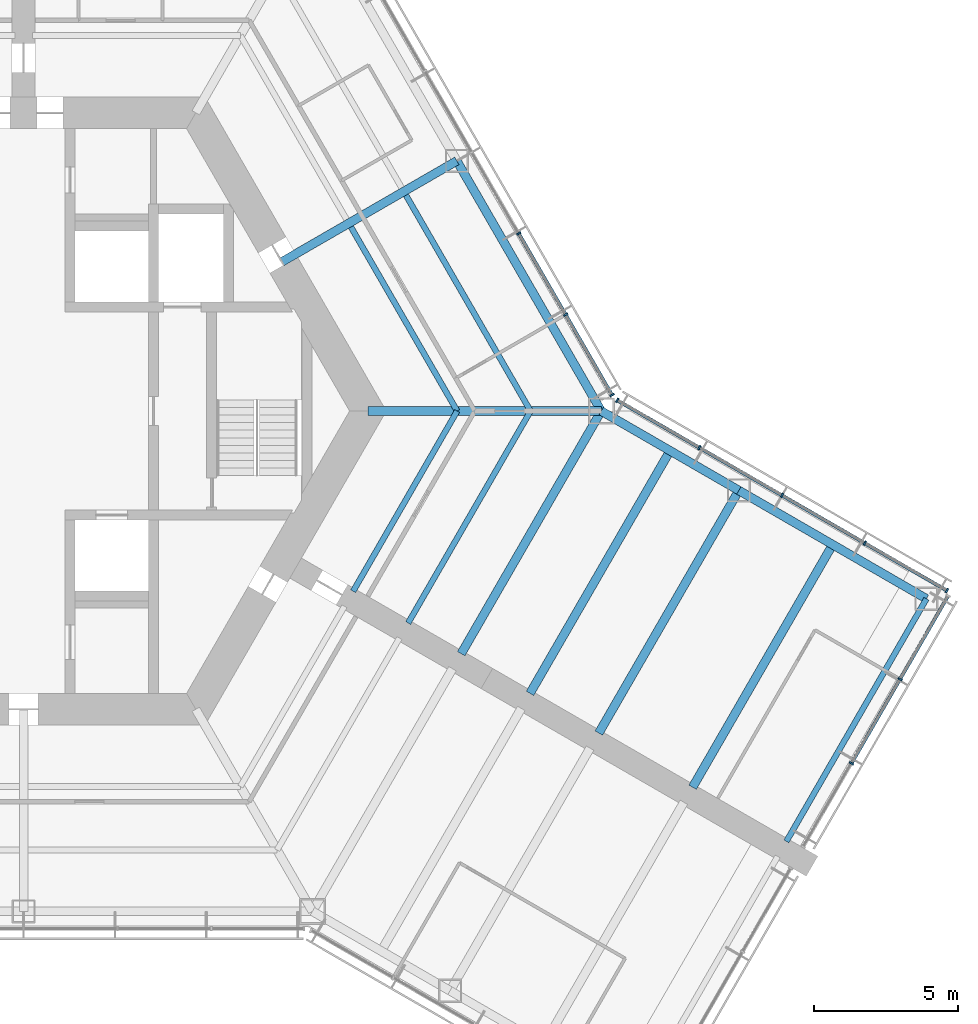
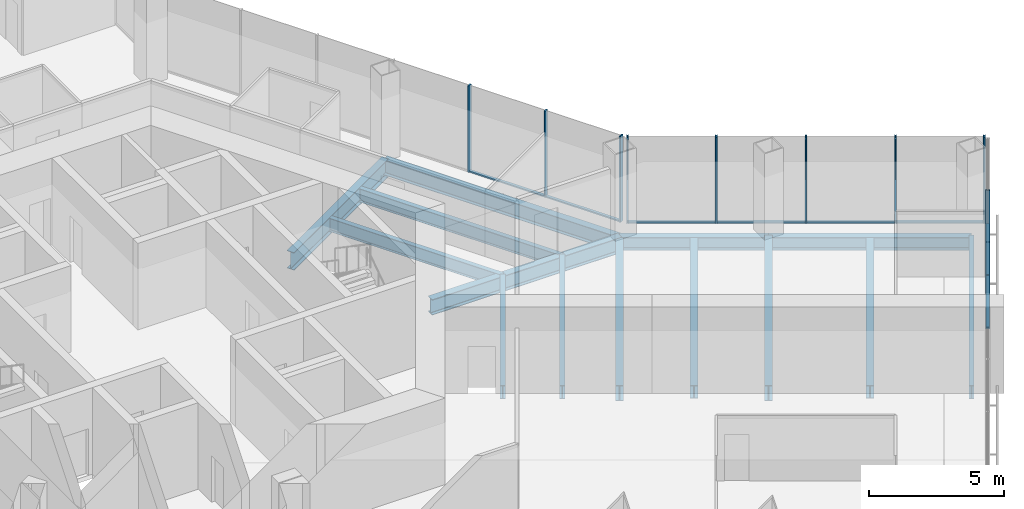
# One storey, part 6 of 18: 18 members, 14 beams, 3 elements without a shape of their own.
"""IFC4 building model written with IfcOpenShell, lengths in metres."""

from ifc_helpers import new_model, si_unit, direction, frame, origin, origin_2d, place, context, subcontext, project, spatial, rectangle, i_section, extrude, material, material_profile, profile_set, type_object, element, aggregate, save


model = new_model("IFC4")

# Units and contexts
model_context = context("Model", 3, precision=1e-05, world=origin(), true_north=direction((0.0, 1.0)))
body_context = subcontext(model_context, "Body", "Model", "MODEL_VIEW")
ifc_project = project(units=[si_unit("LENGTHUNIT", "METRE"), si_unit("AREAUNIT", "SQUARE_METRE"), si_unit("VOLUMEUNIT", "CUBIC_METRE"), si_unit("PLANEANGLEUNIT", "RADIAN"), si_unit("MASSUNIT", "GRAM", prefix="KILO")], contexts=[model_context])

# Site, building, storey
site_placement = place(None, origin())
site = spatial("IfcSite", under=ifc_project, at=site_placement, CompositionType="ELEMENT")
building_placement = place(site_placement, origin())
building = spatial("IfcBuilding", under=site, at=building_placement, Name="Kasaneha Research Tower", CompositionType="ELEMENT")
storey_placement = place(building_placement, frame((0.0, 0.0, 76.800048828125)))
storey = spatial("IfcBuildingStorey", under=building, at=storey_placement, Name="L19", CompositionType="ELEMENT", Elevation=76.800048828125)

# Beams
ifc_material_1 = material(Name="Steel SN490B", Category="steel")
ifc_material_profile_1 = material_profile(ifc_material_1, i_section(OverallWidth=0.199951171875, OverallDepth=0.60009765625, WebThickness=0.010986328125, FlangeThickness=0.01708984375, FilletRadius=0.012939453125, at=origin_2d()), Name="H-600x200x11x17")
ifc_profile_set_1 = profile_set([ifc_material_profile_1], Name="Steel SN490B")
beam_type_1 = type_object("IfcBeamType", Name="B1-3 secondary beam H-600x200x11x17", PredefinedType="JOIST", material=ifc_profile_set_1)
beam_1_placement = place(storey_placement, frame((15.010986328125, 0.0, -0.449951171875), z_axis=(-0.499994443168, 0.866028611999, 0.0), x_axis=(-0.866028611999, -0.499994443168, 0.0)))
element("IfcBeam", 1, at=beam_1_placement, inside=storey, type_object=beam_type_1, Name="Secondary beam RS030L1 L19", PredefinedType="JOIST", context=body_context, shape_type="SweptSolid", body=[
    extrude(i_section(OverallWidth=0.199951171875, OverallDepth=0.60009765625, WebThickness=0.010986328125, FlangeThickness=0.01708984375, FilletRadius=0.012939453125, at=origin_2d()), origin(), (0.0, 0.0, 1.0), 7.35546875),
])
beam_2_placement = place(storey_placement, frame((17.551513671875, 0.0, -0.449951171875), z_axis=(-0.5000050195, 0.866022505755, 0.0), x_axis=(-0.866022505755, -0.5000050195, 0.0)))
element("IfcBeam", 2, at=beam_2_placement, inside=storey, type_object=beam_type_1, Name="Secondary beam RS030L2 L19", PredefinedType="JOIST", context=body_context, shape_type="SweptSolid", body=[
    extrude(i_section(OverallWidth=0.199951171875, OverallDepth=0.60009765625, WebThickness=0.010986328125, FlangeThickness=0.01708984375, FilletRadius=0.012939453125, at=origin_2d()), origin(), (0.0, 0.0, 1.0), 8.6259765625),
])
beam_3_placement = place(storey_placement, frame((15.010986328125, 0.0, -0.449951171875), z_axis=(-0.499972735707, -0.866041144259, 0.0), x_axis=(0.866041144259, -0.499972735707, 0.0)))
element("IfcBeam", 3, at=beam_3_placement, inside=storey, type_object=beam_type_1, Name="Secondary beam RS330R1 L19", PredefinedType="JOIST", context=body_context, shape_type="SweptSolid", body=[
    extrude(i_section(OverallWidth=0.199951171875, OverallDepth=0.60009765625, WebThickness=0.010986328125, FlangeThickness=0.01708984375, FilletRadius=0.012939453125, at=origin_2d()), origin(), (0.0, 0.0, 1.0), 7.20556640625),
])
beam_4_placement = place(storey_placement, frame((17.551513671875, 0.0, -0.449951171875), z_axis=(-0.500020829043, -0.866013377797, 0.0), x_axis=(0.866013377797, -0.500020829043, 0.0)))
element("IfcBeam", 4, at=beam_4_placement, inside=storey, type_object=beam_type_1, Name="Secondary beam RS330R2 L19", PredefinedType="JOIST", context=body_context, shape_type="SweptSolid", body=[
    extrude(i_section(OverallWidth=0.199951171875, OverallDepth=0.60009765625, WebThickness=0.010986328125, FlangeThickness=0.01708984375, FilletRadius=0.012939453125, at=origin_2d()), origin(), (0.0, 0.0, 1.0), 8.475830078125),
])
ifc_material_2 = material(Name="Steel SN490B", Category="steel")
ifc_material_profile_2 = material_profile(ifc_material_2, i_section(OverallWidth=0.300048828125, OverallDepth=0.58203125, WebThickness=0.011962890625, FlangeThickness=0.01708984375, FilletRadius=0.012939453125, at=origin_2d()), Name="H-582x300x12x17")
ifc_profile_set_2 = profile_set([ifc_material_profile_2], Name="Steel SN490B")
beam_type_2 = type_object("IfcBeamType", Name="B2-3 secondary beam H-582x300x12x17", PredefinedType="JOIST", material=ifc_profile_set_2)
for number, where, z_axis, x_axis, name in (
    (5, (22.381591796875, -1.375, -0.441162109375), (-0.500010041276, -0.866019606374, 0.0), (0.866019606374, -0.500010041276, 0.0), "Secondary beam WBCN1 L19"),
    (6, (28.0107421875, -4.625, -0.441162109375), (-0.500010041276, -0.866019606374, 0.0), (0.866019606374, -0.500010041276, 0.0), "Secondary beam WBCN2 L19"),
):
    element("IfcBeam", number, at=place(storey_placement, frame(where, z_axis=z_axis, x_axis=x_axis)), inside=storey, type_object=beam_type_2, Name=name, PredefinedType="JOIST", context=body_context, shape_type="SweptSolid", body=[
        extrude(i_section(OverallWidth=0.300048828125, OverallDepth=0.58203125, WebThickness=0.011962890625, FlangeThickness=0.01708984375, FilletRadius=0.012939453125, at=origin_2d()), origin(), (0.0, 0.0, 1.0), 9.699951171875),
    ])

# Curtain wall, members
ifc_material_3 = material(Name="Glass and aluminium", Category="aluminium")
curtain_wall_type = type_object("IfcCurtainWallType", Name="Low-rise office curtain wall", PredefinedType="USERDEFINED", material=ifc_material_3)
curtain_wall_1_placement = place(storey_placement, origin())
curtain_wall_1 = element("IfcCurtainWall", 7, at=curtain_wall_1_placement, inside=storey, type_object=curtain_wall_type, Name="CW-O1 L19 run 05a", ObjectType="UNITISED CURTAIN WALL", PredefinedType="USERDEFINED")
ifc_material_4 = material(Name="Aluminium 6063-T6", Category="aluminium")
ifc_material_profile_3 = material_profile(ifc_material_4, rectangle(XDim=0.06005859375, YDim=0.159912109375, at=origin_2d()), Name="CW-O1 mullion 60x160")
ifc_profile_set_3 = profile_set([ifc_material_profile_3], Name="Aluminium 6063-T6")
member_type_1 = type_object("IfcMemberType", Name="CW-O1 mullion", PredefinedType="MULLION", material=ifc_profile_set_3)
member_1_placement = place(storey_placement, frame((28.661376953125, -12.1982421875, 0.0), z_axis=(0.0, 0.0, 1.0), x_axis=(0.500000011442, 0.866025397178, 0.0)))
member_1 = element("IfcMember", 8, at=member_1_placement, type_object=member_type_1, Name="CW-O1 mullion 2", PredefinedType="MULLION", context=body_context, shape_type="SweptSolid", body=[
    extrude(rectangle(XDim=0.06005859375, YDim=0.159912109375, at=origin_2d()), origin(), (0.0, 0.0, 1.0), 3.89990234375),
])
member_2_placement = place(storey_placement, frame((30.3447265625, -9.28271484375, 0.0), z_axis=(0.0, 0.0, 1.0), x_axis=(0.500000011442, 0.866025397178, 0.0)))
member_2 = element("IfcMember", 9, at=member_2_placement, type_object=member_type_1, Name="CW-O1 mullion 3", PredefinedType="MULLION", context=body_context, shape_type="SweptSolid", body=[
    extrude(rectangle(XDim=0.06005859375, YDim=0.159912109375, at=origin_2d()), origin(), (0.0, 0.0, 1.0), 3.89990234375),
])

curtain_wall_2_placement = place(storey_placement, origin())
curtain_wall_2 = element("IfcCurtainWall", 10, at=curtain_wall_2_placement, inside=storey, type_object=curtain_wall_type, Name="CW-O1 L19 run 06a", ObjectType="UNITISED CURTAIN WALL", PredefinedType="USERDEFINED")
member_3_placement = place(storey_placement, frame((31.96533203125, -6.21533203125, 0.0), z_axis=(0.0, 0.0, 1.0), x_axis=(-0.866025411464, 0.499999986699, 0.0)))
member_3 = element("IfcMember", 11, at=member_3_placement, type_object=member_type_1, Name="CW-O1 mullion 1", PredefinedType="MULLION", context=body_context, shape_type="SweptSolid", body=[
    extrude(rectangle(XDim=0.06005859375, YDim=0.159912109375, at=origin_2d()), origin(), (0.0, 0.0, 1.0), 3.89990234375),
])
member_4_placement = place(storey_placement, frame((29.125, -4.575439453125, 0.0), z_axis=(0.0, 0.0, 1.0), x_axis=(-0.866025411464, 0.499999986699, 0.0)))
member_4 = element("IfcMember", 12, at=member_4_placement, type_object=member_type_1, Name="CW-O1 mullion 2", PredefinedType="MULLION", context=body_context, shape_type="SweptSolid", body=[
    extrude(rectangle(XDim=0.06005859375, YDim=0.159912109375, at=origin_2d()), origin(), (0.0, 0.0, 1.0), 3.89990234375),
])
member_5_placement = place(storey_placement, frame((26.258544921875, -2.920654296875, 0.0), z_axis=(0.0, 0.0, 1.0), x_axis=(-0.866025411464, 0.499999986699, 0.0)))
member_5 = element("IfcMember", 13, at=member_5_placement, type_object=member_type_1, Name="CW-O1 mullion 3", PredefinedType="MULLION", context=body_context, shape_type="SweptSolid", body=[
    extrude(rectangle(XDim=0.06005859375, YDim=0.159912109375, at=origin_2d()), origin(), (0.0, 0.0, 1.0), 3.89990234375),
])
member_6_placement = place(storey_placement, frame((23.39208984375, -1.265625, 0.0), z_axis=(0.0, 0.0, 1.0), x_axis=(-0.866025411464, 0.499999986699, 0.0)))
member_6 = element("IfcMember", 14, at=member_6_placement, type_object=member_type_1, Name="CW-O1 mullion 4", PredefinedType="MULLION", context=body_context, shape_type="SweptSolid", body=[
    extrude(rectangle(XDim=0.06005859375, YDim=0.159912109375, at=origin_2d()), origin(), (0.0, 0.0, 1.0), 3.89990234375),
])
member_7_placement = place(storey_placement, frame((20.5517578125, 0.374267578125, 0.0), z_axis=(0.0, 0.0, 1.0), x_axis=(-0.866025411464, 0.499999986699, 0.0)))
member_7 = element("IfcMember", 15, at=member_7_placement, type_object=member_type_1, Name="CW-O1 mullion 5", PredefinedType="MULLION", context=body_context, shape_type="SweptSolid", body=[
    extrude(rectangle(XDim=0.06005859375, YDim=0.159912109375, at=origin_2d()), origin(), (0.0, 0.0, 1.0), 3.89990234375),
])

curtain_wall_3_placement = place(storey_placement, origin())
curtain_wall_3 = element("IfcCurtainWall", 16, at=curtain_wall_3_placement, inside=storey, type_object=curtain_wall_type, Name="CW-O1 L19 run 07a", ObjectType="UNITISED CURTAIN WALL", PredefinedType="USERDEFINED")
member_8_placement = place(storey_placement, frame((20.374267578125, 0.5517578125, 0.0), z_axis=(0.0, 0.0, 1.0), x_axis=(-0.49999996188, 0.866025425793, 0.0)))
member_8 = element("IfcMember", 17, at=member_8_placement, type_object=member_type_1, Name="CW-O1 mullion 1", PredefinedType="MULLION", context=body_context, shape_type="SweptSolid", body=[
    extrude(rectangle(XDim=0.06005859375, YDim=0.159912109375, at=origin_2d()), origin(), (0.0, 0.0, 1.0), 3.89990234375),
])
member_9_placement = place(storey_placement, frame((18.76611328125, 3.33740234375, 0.0), z_axis=(0.0, 0.0, 1.0), x_axis=(-0.49999996188, 0.866025425793, 0.0)))
member_9 = element("IfcMember", 18, at=member_9_placement, type_object=member_type_1, Name="CW-O1 mullion 2", PredefinedType="MULLION", context=body_context, shape_type="SweptSolid", body=[
    extrude(rectangle(XDim=0.06005859375, YDim=0.159912109375, at=origin_2d()), origin(), (0.0, 0.0, 1.0), 3.89990234375),
])
member_10_placement = place(storey_placement, frame((17.142822265625, 6.148681640625, 0.0), z_axis=(0.0, 0.0, 1.0), x_axis=(-0.49999996188, 0.866025425793, 0.0)))
member_10 = element("IfcMember", 19, at=member_10_placement, type_object=member_type_1, Name="CW-O1 mullion 3", PredefinedType="MULLION", context=body_context, shape_type="SweptSolid", body=[
    extrude(rectangle(XDim=0.06005859375, YDim=0.159912109375, at=origin_2d()), origin(), (0.0, 0.0, 1.0), 3.89990234375),
])

# Member
ifc_material_5 = material(Name="Aluminium 6063-T6", Category="aluminium")
ifc_material_profile_4 = material_profile(ifc_material_5, rectangle(XDim=0.1201171875, YDim=0.06005859375, at=origin_2d()), Name="CW-O1 transom 120x60")
ifc_profile_set_4 = profile_set([ifc_material_profile_4], Name="Aluminium 6063-T6")
member_type_2 = type_object("IfcMemberType", Name="CW-O1 transom", PredefinedType="USERDEFINED", material=ifc_profile_set_4)
member_11_placement = place(storey_placement, frame((28.67626953125, -12.17236328125, 0.030029296875), z_axis=(0.499982354831, 0.866035590988, 0.0), x_axis=(-0.866035590988, 0.499982354831, 0.0)))
member_11 = element("IfcMember", 20, at=member_11_placement, type_object=member_type_2, Name="CW-O1 transom 2", ObjectType="TRANSOM", PredefinedType="USERDEFINED", context=body_context, shape_type="SweptSolid", body=[
    extrude(rectangle(XDim=0.1201171875, YDim=0.06005859375, at=origin_2d()), origin(), (0.0, 0.0, 1.0), 3.306640625),
])

member_12_placement = place(storey_placement, frame((30.359619140625, -9.256591796875, 0.030029296875), z_axis=(0.500025583411, 0.866010632691, 0.0), x_axis=(-0.866010632691, 0.500025583411, 0.0)))
member_12 = element("IfcMember", 21, at=member_12_placement, type_object=member_type_2, Name="CW-O1 transom 3", ObjectType="TRANSOM", PredefinedType="USERDEFINED", context=body_context, shape_type="SweptSolid", body=[
    extrude(rectangle(XDim=0.1201171875, YDim=0.06005859375, at=origin_2d()), origin(), (0.0, 0.0, 1.0), 3.276611328125),
])

aggregate(curtain_wall_1, [member_1, member_2, member_11, member_12])

member_13_placement = place(storey_placement, frame((31.939453125, -6.200439453125, 0.030029296875), z_axis=(-0.866041647767, 0.499971863542, 0.0), x_axis=(-0.499971863542, -0.866041647767, 0.0)))
member_13 = element("IfcMember", 22, at=member_13_placement, type_object=member_type_2, Name="CW-O1 transom 1", ObjectType="TRANSOM", PredefinedType="USERDEFINED", context=body_context, shape_type="SweptSolid", body=[
    extrude(rectangle(XDim=0.1201171875, YDim=0.06005859375, at=origin_2d()), origin(), (0.0, 0.0, 1.0), 3.219970703125),
])

member_14_placement = place(storey_placement, frame((29.098876953125, -4.560546875, 0.030029296875), z_axis=(-0.86599666273, 0.500049777664, 0.0), x_axis=(-0.500049777664, -0.86599666273, 0.0)))
member_14 = element("IfcMember", 23, at=member_14_placement, type_object=member_type_2, Name="CW-O1 transom 2", ObjectType="TRANSOM", PredefinedType="USERDEFINED", context=body_context, shape_type="SweptSolid", body=[
    extrude(rectangle(XDim=0.1201171875, YDim=0.06005859375, at=origin_2d()), origin(), (0.0, 0.0, 1.0), 3.249755859375),
])

member_15_placement = place(storey_placement, frame((26.232666015625, -2.905517578125, 0.030029296875), z_axis=(-0.86604797581, 0.499960902066, 0.0), x_axis=(-0.499960902066, -0.86604797581, 0.0)))
member_15 = element("IfcMember", 24, at=member_15_placement, type_object=member_type_2, Name="CW-O1 transom 3", ObjectType="TRANSOM", PredefinedType="USERDEFINED", context=body_context, shape_type="SweptSolid", body=[
    extrude(rectangle(XDim=0.1201171875, YDim=0.06005859375, at=origin_2d()), origin(), (0.0, 0.0, 1.0), 3.249755859375),
])

member_16_placement = place(storey_placement, frame((23.3662109375, -1.250732421875, 0.030029296875), z_axis=(-0.866022692473, 0.500004696101, 0.0), x_axis=(-0.500004696101, -0.866022692473, 0.0)))
member_16 = element("IfcMember", 25, at=member_16_placement, type_object=member_type_2, Name="CW-O1 transom 4", ObjectType="TRANSOM", PredefinedType="USERDEFINED", context=body_context, shape_type="SweptSolid", body=[
    extrude(rectangle(XDim=0.1201171875, YDim=0.06005859375, at=origin_2d()), origin(), (0.0, 0.0, 1.0), 3.2197265625),
])

aggregate(curtain_wall_2, [member_3, member_4, member_5, member_6, member_7, member_13, member_14, member_15, member_16])

member_17_placement = place(storey_placement, frame((20.359130859375, 0.577880859375, 0.030029296875), z_axis=(-0.499999210213, 0.866025859768, 0.0), x_axis=(-0.866025859768, -0.499999210213, 0.0)))
member_17 = element("IfcMember", 26, at=member_17_placement, type_object=member_type_2, Name="CW-O1 transom 1", ObjectType="TRANSOM", PredefinedType="USERDEFINED", context=body_context, shape_type="SweptSolid", body=[
    extrude(rectangle(XDim=0.1201171875, YDim=0.06005859375, at=origin_2d()), origin(), (0.0, 0.0, 1.0), 3.15625),
])

member_18_placement = place(storey_placement, frame((18.7509765625, 3.36328125, 0.030029296875), z_axis=(-0.500012062035, 0.866018439653, 0.0), x_axis=(-0.866018439653, -0.500012062035, 0.0)))
member_18 = element("IfcMember", 27, at=member_18_placement, type_object=member_type_2, Name="CW-O1 transom 2", ObjectType="TRANSOM", PredefinedType="USERDEFINED", context=body_context, shape_type="SweptSolid", body=[
    extrude(rectangle(XDim=0.1201171875, YDim=0.06005859375, at=origin_2d()), origin(), (0.0, 0.0, 1.0), 3.1865234375),
])

aggregate(curtain_wall_3, [member_8, member_9, member_10, member_17, member_18])

# Beams
ifc_material_6 = material(Name="Steel SN490B", Category="steel")
ifc_material_profile_5 = material_profile(ifc_material_6, i_section(OverallWidth=0.300048828125, OverallDepth=0.699951171875, WebThickness=0.012939453125, FlangeThickness=0.02392578125, FilletRadius=0.01806640625, at=origin_2d()), Name="H-700x300x13x24")
ifc_profile_set_5 = profile_set([ifc_material_profile_5], Name="Steel SN490B")
beam_type_3 = type_object("IfcBeamType", Name="G1-3 radial girder H-700x300x13x24", PredefinedType="BEAM", material=ifc_profile_set_5)
beam_5_placement = place(storey_placement, frame((11.92236328125, 0.0, -0.5), z_axis=(1.0, 0.0, 0.0), x_axis=(0.0, 1.0, 0.0)))
element("IfcBeam", 28, at=beam_5_placement, inside=storey, type_object=beam_type_3, Name="Radial girder RV000 L19", PredefinedType="BEAM", context=body_context, shape_type="SweptSolid", body=[
    extrude(i_section(OverallWidth=0.300048828125, OverallDepth=0.699951171875, WebThickness=0.012939453125, FlangeThickness=0.02392578125, FilletRadius=0.01806640625, at=origin_2d()), origin(), (0.0, 0.0, 1.0), 8.07763671875),
])
ifc_material_7 = material(Name="Steel SN490B", Category="steel")
ifc_material_profile_6 = material_profile(ifc_material_7, i_section(OverallWidth=0.300048828125, OverallDepth=0.800048828125, WebThickness=0.013916015625, FlangeThickness=0.02587890625, FilletRadius=0.01806640625, at=origin_2d()), Name="H-800x300x14x26")
ifc_profile_set_6 = profile_set([ifc_material_profile_6], Name="Steel SN490B")
beam_type_4 = type_object("IfcBeamType", Name="G2-3 radial girder H-800x300x14x26", PredefinedType="BEAM", material=ifc_profile_set_6)
beam_6_placement = place(storey_placement, frame((8.941650390625, 5.16259765625, -0.550048828125), z_axis=(0.866039713508, 0.499975214012, 0.0), x_axis=(-0.499975214012, 0.866039713508, 0.0)))
element("IfcBeam", 29, at=beam_6_placement, inside=storey, type_object=beam_type_4, Name="Radial girder RM030 L19", PredefinedType="BEAM", context=body_context, shape_type="SweptSolid", body=[
    extrude(i_section(OverallWidth=0.300048828125, OverallDepth=0.800048828125, WebThickness=0.013916015625, FlangeThickness=0.02587890625, FilletRadius=0.01806640625, at=origin_2d()), origin(), (0.0, 0.0, 1.0), 6.995361328125),
])
ifc_material_8 = material(Name="Steel SN490B", Category="steel")
ifc_material_profile_7 = material_profile(ifc_material_8, i_section(OverallWidth=0.300048828125, OverallDepth=0.69189453125, WebThickness=0.012939453125, FlangeThickness=0.02001953125, FilletRadius=0.01806640625, at=origin_2d()), Name="H-692x300x13x20")
ifc_profile_set_7 = profile_set([ifc_material_profile_7], Name="Steel SN490B")
beam_type_5 = type_object("IfcBeamType", Name="G3-3 plate edge girder H-692x300x13x20", PredefinedType="BEAM", material=ifc_profile_set_7)
beam_7_placement = place(storey_placement, frame((20.0, 0.0, -0.49609375), z_axis=(-0.500010041276, -0.866019606374, 0.0), x_axis=(0.866019606374, -0.500010041276, 0.0)))
element("IfcBeam", 30, at=beam_7_placement, inside=storey, type_object=beam_type_5, Name="Plate edge girder PECN L19", PredefinedType="BEAM", context=body_context, shape_type="SweptSolid", body=[
    extrude(i_section(OverallWidth=0.300048828125, OverallDepth=0.69189453125, WebThickness=0.012939453125, FlangeThickness=0.02001953125, FilletRadius=0.01806640625, at=origin_2d()), origin(), (0.0, 0.0, 1.0), 9.699951171875),
])
ifc_material_9 = material(Name="Steel SN490B", Category="steel")
ifc_material_profile_8 = material_profile(ifc_material_9, i_section(OverallWidth=0.300048828125, OverallDepth=0.699951171875, WebThickness=0.012939453125, FlangeThickness=0.02392578125, FilletRadius=0.01806640625, at=origin_2d()), Name="H-700x300x13x24")
ifc_profile_set_8 = profile_set([ifc_material_profile_8], Name="Steel SN490B")
beam_type_6 = type_object("IfcBeamType", Name="G4-3 wing girder H-700x300x13x24", PredefinedType="BEAM", material=ifc_profile_set_8)
beam_8_placement = place(storey_placement, frame((24.76318359375, -2.75, -0.5), z_axis=(-0.500010041276, -0.866019606374, 0.0), x_axis=(0.866019606374, -0.500010041276, 0.0)))
element("IfcBeam", 31, at=beam_8_placement, inside=storey, type_object=beam_type_6, Name="Wing girder WGCN L19", PredefinedType="BEAM", context=body_context, shape_type="SweptSolid", body=[
    extrude(i_section(OverallWidth=0.300048828125, OverallDepth=0.699951171875, WebThickness=0.012939453125, FlangeThickness=0.02392578125, FilletRadius=0.01806640625, at=origin_2d()), origin(), (0.0, 0.0, 1.0), 9.699951171875),
])
ifc_material_10 = material(Name="Steel SN490B", Category="steel")
ifc_material_profile_9 = material_profile(ifc_material_10, i_section(OverallWidth=0.300048828125, OverallDepth=0.69189453125, WebThickness=0.012939453125, FlangeThickness=0.02001953125, FilletRadius=0.01806640625, at=origin_2d()), Name="H-692x300x13x20")
ifc_profile_set_9 = profile_set([ifc_material_profile_9], Name="Steel SN490B")
beam_type_7 = type_object("IfcBeamType", Name="SB1-3 spandrel beam H-692x300x13x20", PredefinedType="SPANDREL", material=ifc_profile_set_9)
beam_9_placement = place(storey_placement, frame((20.0, 0.0, -0.49609375), z_axis=(-0.500004234368, 0.866022959057, 0.0), x_axis=(-0.866022959057, -0.500004234368, 0.0)))
element("IfcBeam", 32, at=beam_9_placement, inside=storey, type_object=beam_type_7, Name="Spandrel beam SR030L L19", PredefinedType="SPANDREL", context=body_context, shape_type="SweptSolid", body=[
    extrude(i_section(OverallWidth=0.300048828125, OverallDepth=0.69189453125, WebThickness=0.012939453125, FlangeThickness=0.02001953125, FilletRadius=0.01806640625, at=origin_2d()), origin(), (0.0, 0.0, 1.0), 10.0),
])
ifc_material_11 = material(Name="Steel SN490B", Category="steel")
ifc_material_profile_10 = material_profile(ifc_material_11, i_section(OverallWidth=0.300048828125, OverallDepth=0.58203125, WebThickness=0.011962890625, FlangeThickness=0.01708984375, FilletRadius=0.012939453125, at=origin_2d()), Name="H-582x300x12x17")
ifc_profile_set_10 = profile_set([ifc_material_profile_10], Name="Steel SN490B")
beam_type_8 = type_object("IfcBeamType", Name="SB2-3 spandrel beam H-582x300x12x17", PredefinedType="SPANDREL", material=ifc_profile_set_10)
beam_10_placement = place(storey_placement, frame((20.0, 0.0, -0.441162109375), z_axis=(0.866027397988, -0.499996545922, 0.0), x_axis=(0.499996545922, 0.866027397988, 0.0)))
element("IfcBeam", 33, at=beam_10_placement, inside=storey, type_object=beam_type_8, Name="Spandrel beam WSCN1 L19", PredefinedType="SPANDREL", context=body_context, shape_type="SweptSolid", body=[
    extrude(i_section(OverallWidth=0.300048828125, OverallDepth=0.58203125, WebThickness=0.011962890625, FlangeThickness=0.01708984375, FilletRadius=0.012939453125, at=origin_2d()), origin(), (0.0, 0.0, 1.0), 5.5),
])
beam_11_placement = place(storey_placement, frame((24.76318359375, -2.75, -0.441162109375), z_axis=(0.866022959057, -0.500004234368, 0.0), x_axis=(0.500004234368, 0.866022959057, 0.0)))
element("IfcBeam", 34, at=beam_11_placement, inside=storey, type_object=beam_type_8, Name="Spandrel beam WSCN2 L19", PredefinedType="SPANDREL", context=body_context, shape_type="SweptSolid", body=[
    extrude(i_section(OverallWidth=0.300048828125, OverallDepth=0.58203125, WebThickness=0.011962890625, FlangeThickness=0.01708984375, FilletRadius=0.012939453125, at=origin_2d()), origin(), (0.0, 0.0, 1.0), 7.5),
])
ifc_material_12 = material(Name="Steel SN490B", Category="steel")
ifc_material_profile_11 = material_profile(ifc_material_12, i_section(OverallWidth=0.199951171875, OverallDepth=0.60009765625, WebThickness=0.010986328125, FlangeThickness=0.01708984375, FilletRadius=0.012939453125, at=origin_2d()), Name="H-600x200x11x17")
ifc_profile_set_11 = profile_set([ifc_material_profile_11], Name="Steel SN490B")
beam_type_9 = type_object("IfcBeamType", Name="SB3-3 spandrel beam H-600x200x11x17", PredefinedType="SPANDREL", material=ifc_profile_set_11)
beam_12_placement = place(storey_placement, frame((31.25830078125, -6.5, -0.449951171875), z_axis=(-0.499991164321, -0.866030505006, 0.0), x_axis=(0.866030505006, -0.499991164321, 0.0)))
element("IfcBeam", 35, at=beam_12_placement, inside=storey, type_object=beam_type_9, Name="Spandrel beam WTCN L19", PredefinedType="SPANDREL", context=body_context, shape_type="SweptSolid", body=[
    extrude(i_section(OverallWidth=0.199951171875, OverallDepth=0.60009765625, WebThickness=0.010986328125, FlangeThickness=0.01708984375, FilletRadius=0.012939453125, at=origin_2d()), origin(), (0.0, 0.0, 1.0), 9.699951171875),
])

save(model, "model.ifc")
